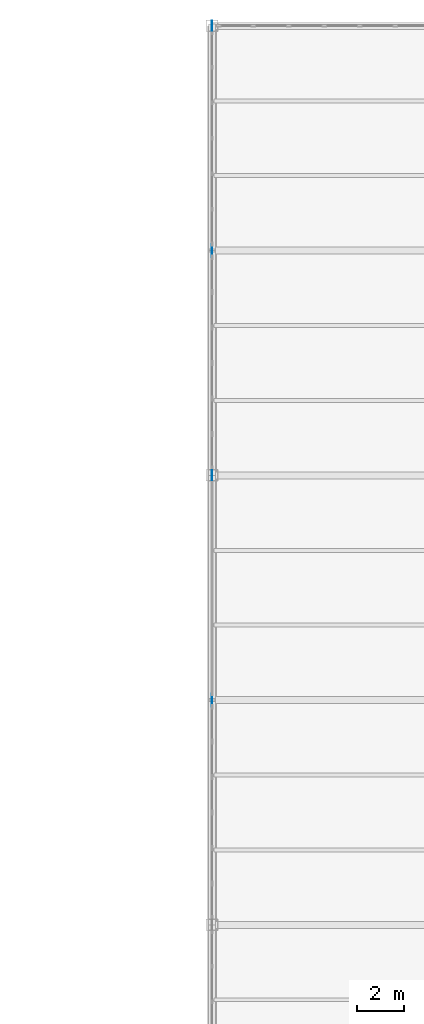
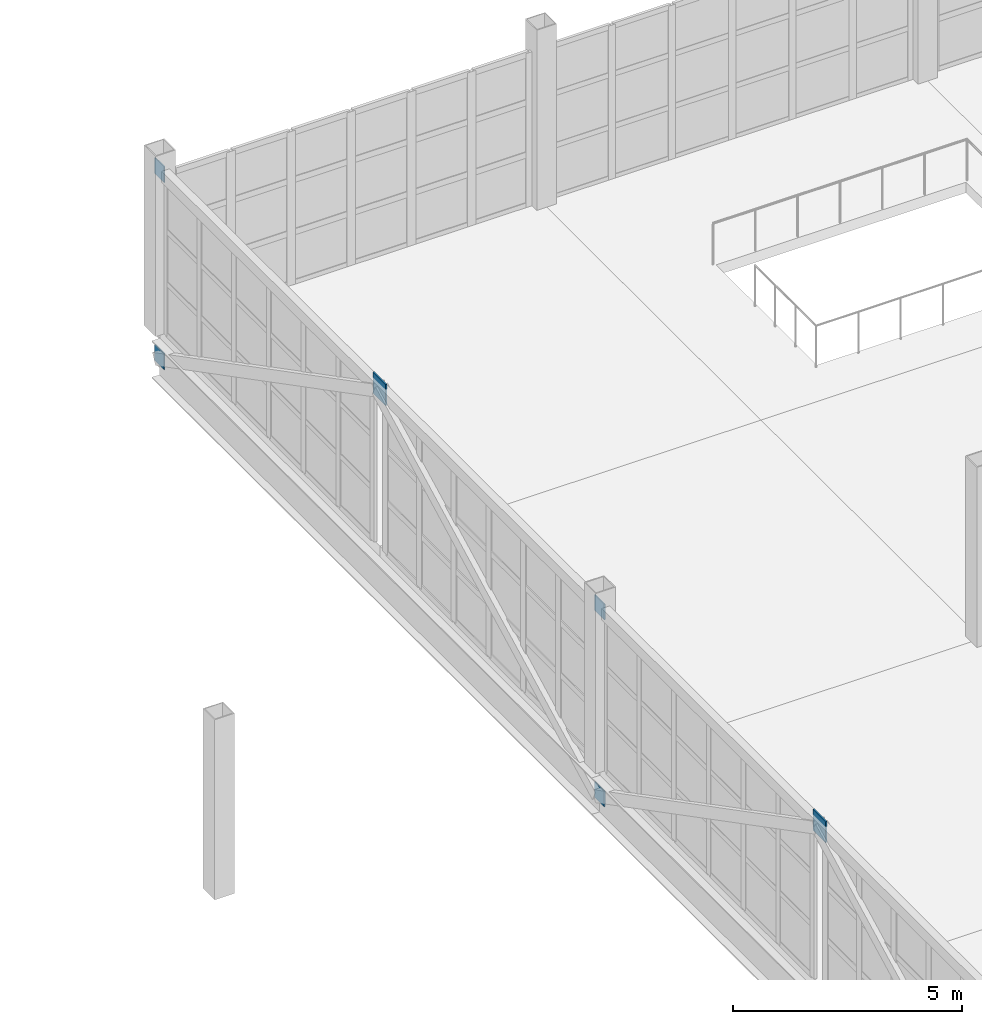
# One storey, part 103 of 120: 6 plates.
"""IFC4 building model written with IfcOpenShell, lengths in metres."""

import ifcopenshell
import ifcopenshell.guid

model = None  # the IFC model being written
_history = None  # IfcOwnerHistory: only IFC2X3 demands one
_inside = {}  # id of a spatial element -> (the spatial element, [elements in it])
_under = {}  # id of a project, library or spatial element -> (it, [spatial elements below it])
_declared = {}  # id of a project -> (the project, [libraries it declares])
_typed = {}  # id of a type object -> (the type object, [elements of that type])
_made_of = {}  # id of a material, layer set ... -> (it, [elements and type objects made of it])


def new_model(schema):
    """Start an empty IFC model of exactly this schema.

    Asked for "IFC4X3", IfcOpenShell would pick the latest addendum, in which some entities
    have other attributes; the version numbers below select the first issue.
    IFC2X3 requires an IfcOwnerHistory on every rooted entity: one is made here for all.
    """
    global model, _history
    if schema == "IFC4X3":
        model = ifcopenshell.file(schema_version=(4, 3, 0, 0))
    else:
        model = ifcopenshell.file(schema=schema)
    _inside.clear()
    _under.clear()
    _declared.clear()
    _typed.clear()
    _made_of.clear()
    _history = None
    if model.schema == "IFC2X3":
        org = make("IfcOrganization", Name="unknown")
        user = make(
            "IfcPersonAndOrganization",
            ThePerson=make("IfcPerson", FamilyName="unknown"),
            TheOrganization=org,
        )
        app = make(
            "IfcApplication",
            ApplicationDeveloper=org,
            Version="unknown",
            ApplicationFullName="unknown",
            ApplicationIdentifier="unknown",
        )
        _history = make(
            "IfcOwnerHistory",
            OwningUser=user,
            OwningApplication=app,
            ChangeAction="ADDED",
            CreationDate=0,
        )
    return model


def make(cls, **values):
    """One entity of the class cls with the attributes given. An attribute that is None is left unset."""
    return model.create_entity(
        cls, **{name: value for name, value in values.items() if value is not None}
    )


def rooted(cls, **values):
    """An entity with a GlobalId (a new one), such as an element, a storey or a relation."""
    return make(cls, GlobalId=ifcopenshell.guid.new(), OwnerHistory=_history, **values)


def si_unit(unit_type, name, prefix=None):
    """IfcSIUnit, for example si_unit("LENGTHUNIT", "METRE", prefix="MILLI")."""
    return make("IfcSIUnit", UnitType=unit_type, Prefix=prefix, Name=name)


def assignment(units):
    """IfcUnitAssignment: the units of a project."""
    return None if units is None else make("IfcUnitAssignment", Units=units)


def point(xyz):
    """IfcCartesianPoint."""
    return None if xyz is None else make("IfcCartesianPoint", Coordinates=xyz)


def direction(xyz):
    """IfcDirection."""
    return None if xyz is None else make("IfcDirection", DirectionRatios=xyz)


def frame(location, z_axis=None, x_axis=None):
    """IfcAxis2Placement3D, a coordinate frame: its origin and axes. An axis left out is left unset."""
    return make(
        "IfcAxis2Placement3D",
        Location=point(location),
        Axis=direction(z_axis),
        RefDirection=direction(x_axis),
    )


def frame_2d(location, x_axis=None):
    """IfcAxis2Placement2D, a coordinate frame in the plane: its origin and x axis."""
    return make(
        "IfcAxis2Placement2D", Location=point(location), RefDirection=direction(x_axis)
    )


def origin():
    """The frame at (0, 0, 0) with its axes left unset."""
    return frame((0.0, 0.0, 0.0))


def origin_2d():
    """The frame at (0, 0) in the plane with its x axis left unset."""
    return frame_2d((0.0, 0.0))


def place(relative_to, where):
    """IfcLocalPlacement: puts the frame where relative to a parent placement (None: the world)."""
    return make(
        "IfcLocalPlacement", PlacementRelTo=relative_to, RelativePlacement=where
    )


def context(
    kind, dimensions, precision=None, world=None, true_north=None, identifier=None
):
    """IfcGeometricRepresentationContext, for example the 3D "Model" context."""
    return make(
        "IfcGeometricRepresentationContext",
        ContextIdentifier=identifier,
        ContextType=kind,
        CoordinateSpaceDimension=dimensions,
        Precision=precision,
        WorldCoordinateSystem=world,
        TrueNorth=true_north,
    )


def subcontext(parent, identifier, kind, view, scale=None):
    """IfcGeometricRepresentationSubContext, for example "Body" below "Model"."""
    return make(
        "IfcGeometricRepresentationSubContext",
        ContextIdentifier=identifier,
        ContextType=kind,
        ParentContext=parent,
        TargetScale=scale,
        TargetView=view,
    )


def project(units=None, contexts=None):
    """IfcProject with its units and contexts."""
    return rooted(
        "IfcProject",
        Name="project",
        RepresentationContexts=contexts,
        UnitsInContext=assignment(units),
    )


def spatial(cls, under=None, at=None, **own):
    """A site, building, storey or space (cls), placed at a placement, below another one or the project."""
    s = rooted(cls, ObjectPlacement=at, **own)
    if under is not None:
        _under.setdefault(under.id(), (under, []))[1].append(s)
    return s


def profile(cls, at=None, kind="AREA", **sizes):
    """A parametric profile (cls). Its sizes go by their IFC names, for example OverallWidth=200.0."""
    return make(cls, ProfileType=kind, Position=at, **sizes)


def rectangle(**sizes):
    """IfcRectangleProfileDef."""
    return profile("IfcRectangleProfileDef", **sizes)


def extrude(swept, where, along, depth):
    """IfcExtrudedAreaSolid: the profile swept, set in the frame where, extruded along a direction by depth."""
    return make(
        "IfcExtrudedAreaSolid",
        SweptArea=swept,
        Position=where,
        ExtrudedDirection=direction(along),
        Depth=depth,
    )


def shape(context_of_items, identifier, shape_type, items):
    """IfcShapeRepresentation: the items that make up one representation, for example the "Body"."""
    return make(
        "IfcShapeRepresentation",
        ContextOfItems=context_of_items,
        RepresentationIdentifier=identifier,
        RepresentationType=shape_type,
        Items=items,
    )


def material(Name=None, Category=None):
    """IfcMaterial."""
    return make("IfcMaterial", Name=Name, Category=Category)


def layer(
    of_material, thickness, ventilated=None, Name=None, Category=None, Priority=None
):
    """IfcMaterialLayer: one layer of a wall or slab, of a material (None: an air gap)."""
    return make(
        "IfcMaterialLayer",
        Material=of_material,
        LayerThickness=thickness,
        IsVentilated=ventilated,
        Name=Name,
        Category=Category,
        Priority=Priority,
    )


def layer_set(layers, Name=None):
    """IfcMaterialLayerSet."""
    return make("IfcMaterialLayerSet", MaterialLayers=layers, LayerSetName=Name)


def made_of(thing, what):
    """Note that an element or type object is made of a material, layer set ...; save() writes the relation."""
    if what is not None:
        _made_of.setdefault(what.id(), (what, []))[1].append(thing)
    return thing


def type_object(cls, material=None, **own):
    """A type object (cls), such as IfcWallType, which elements share."""
    return made_of(rooted(cls, **own), material)


def element(
    cls,
    number,
    at=None,
    inside=None,
    cuts=None,
    type_object=None,
    material=None,
    context=None,
    identifier="Body",
    shape_type=None,
    held_by="IfcProductDefinitionShape",
    body=None,
    shapes=None,
    **own,
):
    """One element of the class cls, such as IfcWall. Its Tag is "e" and its number.

    at: its placement. inside: the storey or other place that contains it. cuts: it is an
    opening in that element (IfcRelVoidsElement). A single representation is given by context,
    identifier, shape_type and body (its items); several are given by shapes. held_by: the class
    of the entity that holds the representations. save() writes the other relations.
    """
    e = rooted(cls, Tag="e%d" % number, ObjectPlacement=at, **own)
    if body is not None:
        shapes = [shape(context, identifier, shape_type, body)]
    if shapes is not None:
        e.Representation = make(held_by, Representations=shapes)
    if inside is not None:
        _inside.setdefault(inside.id(), (inside, []))[1].append(e)
    if cuts is not None:
        rooted(
            "IfcRelVoidsElement", RelatingBuildingElement=cuts, RelatedOpeningElement=e
        )
    if type_object is not None:
        _typed.setdefault(type_object.id(), (type_object, []))[1].append(e)
    return made_of(e, material)


def aggregate(whole, parts):
    """IfcRelAggregates: a whole, such as a stair, and the parts it consists of."""
    return rooted("IfcRelAggregates", RelatingObject=whole, RelatedObjects=parts)


def save(model, path):
    """Write the relations noted so far, then the file.

    IfcRelAggregates (storeys below a building ...), IfcRelContainedInSpatialStructure (elements
    in a storey), IfcRelDefinesByType, IfcRelAssociatesMaterial and IfcRelDeclares: one each for
    every whole, place, type object, material and project.
    """
    for whole, parts in _under.values():
        aggregate(whole, parts)
    for where, things in _inside.values():
        rooted(
            "IfcRelContainedInSpatialStructure",
            RelatedElements=things,
            RelatingStructure=where,
        )
    for kind, things in _typed.values():
        rooted("IfcRelDefinesByType", RelatedObjects=things, RelatingType=kind)
    for what, things in _made_of.values():
        rooted("IfcRelAssociatesMaterial", RelatedObjects=things, RelatingMaterial=what)
    for by, libraries in _declared.values():
        rooted("IfcRelDeclares", RelatingContext=by, RelatedDefinitions=libraries)
    model.write(path)


model = new_model("IFC4")

# Units and contexts
model_context = context("Model", 3, precision=1e-05, world=origin(), true_north=direction((0.0, 1.0)))
body_context = subcontext(model_context, "Body", "Model", "MODEL_VIEW")
ifc_project = project(units=[si_unit("LENGTHUNIT", "METRE"), si_unit("AREAUNIT", "SQUARE_METRE"), si_unit("VOLUMEUNIT", "CUBIC_METRE"), si_unit("PLANEANGLEUNIT", "RADIAN"), si_unit("MASSUNIT", "GRAM", prefix="KILO")], contexts=[model_context])

# Site, building, storey
site_placement = place(None, origin())
site = spatial("IfcSite", under=ifc_project, at=site_placement, CompositionType="ELEMENT")
building_placement = place(site_placement, origin())
building = spatial("IfcBuilding", under=site, at=building_placement, Name="Zarnetskaya Central Station", CompositionType="ELEMENT")
storey_placement = place(building_placement, frame((0.0, 0.0, 5.39990234375)))
storey = spatial("IfcBuildingStorey", under=building, at=storey_placement, Name="L01", CompositionType="ELEMENT", Elevation=5.39990234375)

# Plates
ifc_material = material(Name="Steel S355", Category="steel")
ifc_layer_1 = layer(ifc_material, 0.028076171875, Name="Steel S355", Category="steel")
ifc_layer_set_1 = layer_set([ifc_layer_1], Name="Steel S355")
plate_type_1 = type_object("IfcPlateType", Name="ND-GUSSET-28", PredefinedType="USERDEFINED", material=ifc_layer_set_1)
for number, where, z_axis, x_axis, name in (
    (1, (67.199951171875, 105.60009765625, 3.990234375), (0.0, 0.0, 1.0), (1.0, 0.0, 0.0), "Structural member end gusset plate 101"),
    (2, (67.199951171875, 105.60009765625, -0.98974609375), (0.0, 0.0, 1.0), (1.0, 0.0, 0.0), "Structural member end gusset plate 102"),
    (3, (67.199951171875, 124.800048828125, 3.990234375), (0.0, 0.0, 1.0), (1.0, 0.0, 0.0), "Structural member end gusset plate 103"),
    (4, (67.199951171875, 124.800048828125, -0.98974609375), (0.0, 0.0, 1.0), (1.0, 0.0, 0.0), "Structural member end gusset plate 104"),
):
    element("IfcPlate", number, at=place(storey_placement, frame(where, z_axis=z_axis, x_axis=x_axis)), inside=storey, type_object=plate_type_1, Name=name, ObjectType="GUSSET PLATE", PredefinedType="USERDEFINED", context=body_context, shape_type="SweptSolid", body=[
        extrude(rectangle(XDim=0.028076171875, YDim=0.419921875, at=origin_2d()), origin(), (0.0, 0.0, 1.0), 0.419921875),
    ])
ifc_layer_2 = layer(ifc_material, 0.035888671875, Name="Steel S355", Category="steel")
ifc_layer_set_2 = layer_set([ifc_layer_2], Name="Steel S355")
plate_type_2 = type_object("IfcPlateType", Name="ND-GUSSET-36", PredefinedType="USERDEFINED", material=ifc_layer_set_2)
for number, where, z_axis, x_axis, name in (
    (5, (67.199951171875, 96.0, 3.920166015625), (0.0, 0.0, 1.0), (1.0, 0.0, 0.0), "Transfer truss H 11-13 node gusset plate"),
    (6, (67.199951171875, 115.199951171875, 3.920166015625), (0.0, 0.0, 1.0), (1.0, 0.0, 0.0), "Transfer truss H 13-15 node gusset plate"),
):
    element("IfcPlate", number, at=place(storey_placement, frame(where, z_axis=z_axis, x_axis=x_axis)), inside=storey, type_object=plate_type_2, Name=name, ObjectType="GUSSET PLATE", PredefinedType="USERDEFINED", context=body_context, shape_type="SweptSolid", body=[
        extrude(rectangle(XDim=0.035888671875, YDim=0.56005859375, at=origin_2d()), origin(), (0.0, 0.0, 1.0), 0.56005859375),
    ])

save(model, "model.ifc")
